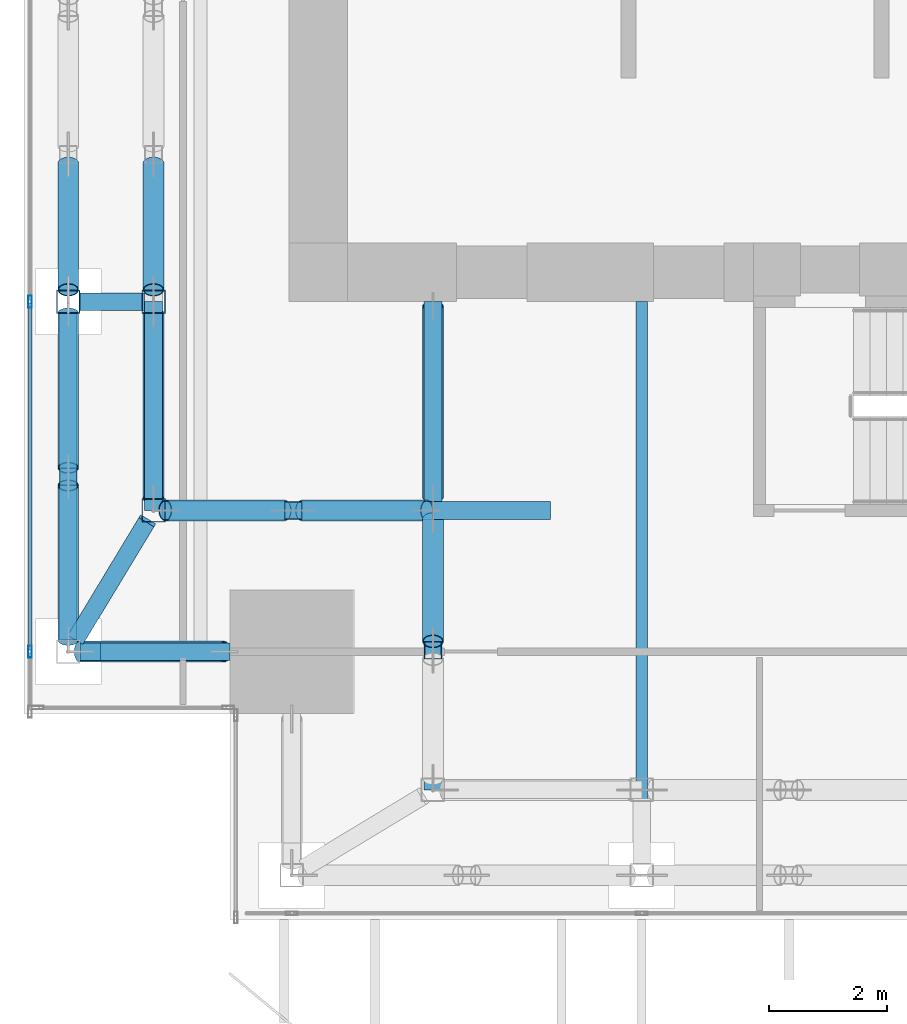
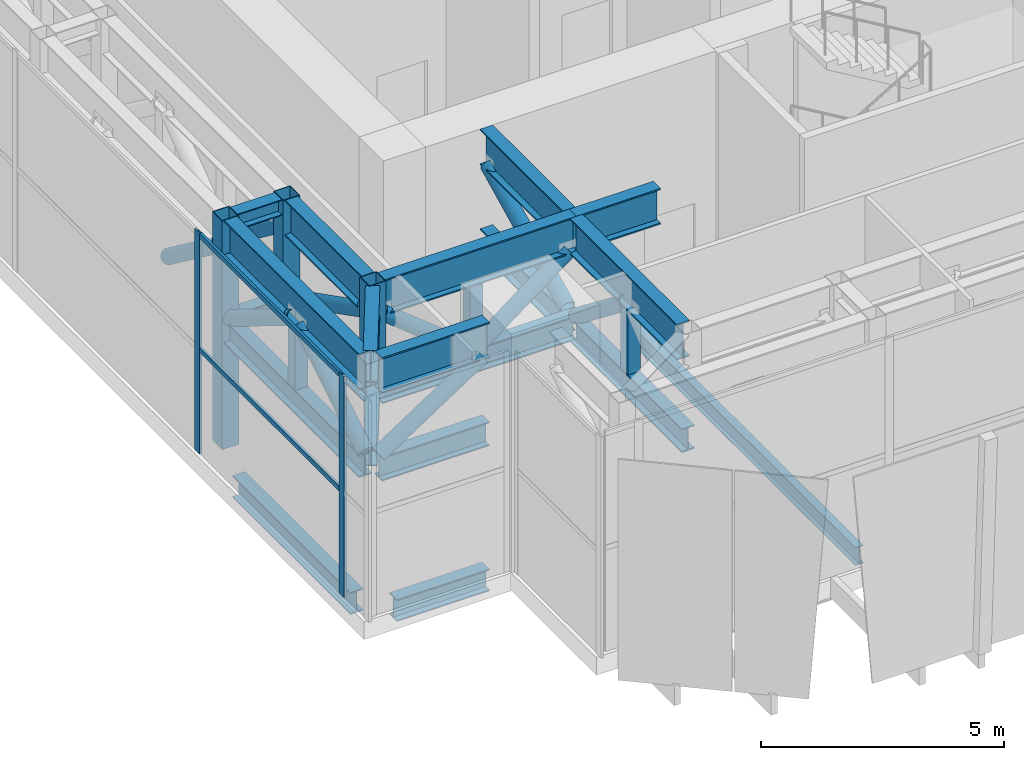
# One storey, part 4 of 47: 33 members, 7 beams, 1 element without a shape of its own.
"""IFC4 building model written with IfcOpenShell, lengths in metres."""

from ifc_helpers import new_model, si_unit, direction, frame, origin, origin_2d, place, context, subcontext, project, spatial, hollow_rectangle, hollow_circle, i_section, extrude, source, transform, mapped, material, material_profile, profile_set, type_object, element, aggregate, save


model = new_model("IFC4")

# Units and contexts
model_context = context("Model", 3, precision=1e-05, world=origin(), true_north=direction((0.0, 1.0)))
body_context = subcontext(model_context, "Body", "Model", "MODEL_VIEW")
ifc_project = project(units=[si_unit("LENGTHUNIT", "METRE"), si_unit("AREAUNIT", "SQUARE_METRE"), si_unit("VOLUMEUNIT", "CUBIC_METRE"), si_unit("PLANEANGLEUNIT", "RADIAN"), si_unit("MASSUNIT", "GRAM", prefix="KILO")], contexts=[model_context])

# Site, building, storey
site_placement = place(None, origin())
site = spatial("IfcSite", under=ifc_project, at=site_placement, CompositionType="ELEMENT")
building_placement = place(site_placement, origin())
building = spatial("IfcBuilding", under=site, at=building_placement, Name="Khomas Fold Tower", CompositionType="ELEMENT")
storey_placement = place(building_placement, frame((0.0, 0.0, 158.699951171875)))
storey = spatial("IfcBuildingStorey", under=building, at=storey_placement, Name="L34", CompositionType="ELEMENT", Elevation=158.699951171875)

# Beams
ifc_material_1 = material(Name="Steel S355", Category="steel")
ifc_material_profile_1 = material_profile(ifc_material_1, i_section(OverallWidth=0.300048828125, OverallDepth=0.550048828125, WebThickness=0.014892578125, FlangeThickness=0.029052734375, at=origin_2d()), Name="HE 550 B")
ifc_profile_set_1 = profile_set([ifc_material_profile_1], Name="Steel S355")
beam_type_1 = type_object("IfcBeamType", Name="HE 550 B spandrel SB2", PredefinedType="SPANDREL", material=ifc_profile_set_1)
shared_shape_1 = source(origin(), body_context, "Body", "SweptSolid", [
    extrude(i_section(OverallWidth=0.300048828125, OverallDepth=0.550048828125, WebThickness=0.014892578125, FlangeThickness=0.029052734375, at=origin_2d()), origin(), (0.0, 0.0, 1.0), 4.849853515625),
])
beam_1_placement = place(storey_placement, frame((2.25, 6.60009765625, -0.724853515625), z_axis=(0.0, 1.0, 0.0), x_axis=(-1.0, 0.0, 0.0)))
element("IfcBeam", 1, at=beam_1_placement, inside=storey, type_object=beam_type_1, Name="SB2", PredefinedType="SPANDREL", context=body_context, shape_type="MappedRepresentation", body=[
    mapped(shared_shape_1, transform((0.0, 0.0, 0.0))),
])
shared_shape_2 = source(origin(), body_context, "Body", "SweptSolid", [
    extrude(i_section(OverallWidth=0.300048828125, OverallDepth=0.550048828125, WebThickness=0.014892578125, FlangeThickness=0.029052734375, at=origin_2d()), origin(), (0.0, 0.0, 1.0), 2.199951171875),
])
beam_2_placement = place(storey_placement, frame((2.800048828125, 6.050048828125, -0.724853515625), z_axis=(1.0, 0.0, 0.0), x_axis=(0.0, 1.0, 0.0)))
element("IfcBeam", 2, at=beam_2_placement, inside=storey, type_object=beam_type_1, Name="SB2", PredefinedType="SPANDREL", context=body_context, shape_type="MappedRepresentation", body=[
    mapped(shared_shape_2, transform((0.0, 0.0, 0.0))),
])
ifc_material_2 = material(Name="Steel S355", Category="steel")
ifc_material_profile_2 = material_profile(ifc_material_2, i_section(OverallWidth=0.18994140625, OverallDepth=0.449951171875, WebThickness=0.009521484375, FlangeThickness=0.0146484375, at=origin_2d()), Name="IPE 450")
ifc_profile_set_2 = profile_set([ifc_material_profile_2], Name="Steel S355")
beam_type_2 = type_object("IfcBeamType", Name="IPE 450 beam JB4", PredefinedType="BEAM", material=ifc_profile_set_2)
shared_shape_3 = source(origin(), body_context, "Body", "SweptSolid", [
    extrude(i_section(OverallWidth=0.18994140625, OverallDepth=0.449951171875, WebThickness=0.009521484375, FlangeThickness=0.0146484375, at=origin_2d()), origin(), (0.0, 0.0, 1.0), 9.199951171875),
])
beam_3_placement = place(storey_placement, frame((12.0, 2.800048828125, -0.675048828125), z_axis=(0.0, 1.0, 0.0), x_axis=(-1.0, 0.0, 0.0)))
element("IfcBeam", 3, at=beam_3_placement, inside=storey, type_object=beam_type_2, Name="JB4", PredefinedType="BEAM", context=body_context, shape_type="MappedRepresentation", body=[
    mapped(shared_shape_3, transform((0.0, 0.0, 0.0))),
])

# Members
ifc_material_3 = material(Name="Steel S460M", Category="steel")
ifc_material_profile_3 = material_profile(ifc_material_3, i_section(OverallWidth=0.300048828125, OverallDepth=0.89990234375, WebThickness=0.0185546875, FlangeThickness=0.034912109375, at=origin_2d()), Name="HE 900 B")
ifc_profile_set_3 = profile_set([ifc_material_profile_3], Name="Steel S460M")
member_type_1 = type_object("IfcMemberType", Name="BELT TRUSS 2 TOP CHORD HE 900 B", PredefinedType="CHORD", material=ifc_profile_set_3)
shared_shape_4 = source(origin(), body_context, "Body", "SweptSolid", [
    extrude(i_section(OverallWidth=0.300048828125, OverallDepth=0.89990234375, WebThickness=0.0185546875, FlangeThickness=0.034912109375, at=origin_2d()), origin(), (0.0, 0.0, 1.0), 5.550048828125),
])
member_1_placement = place(storey_placement, frame((2.25, 11.800048828125, 5.300048828125), z_axis=(0.0, -1.0, 0.0), x_axis=(1.0, 0.0, 0.0)))
element("IfcMember", 4, at=member_1_placement, inside=storey, type_object=member_type_1, Name="BT2-CT", PredefinedType="CHORD", context=body_context, shape_type="MappedRepresentation", body=[
    mapped(shared_shape_4, transform((0.0, 0.0, 0.0))),
])
ifc_material_4 = material(Name="Steel S355", Category="steel")
ifc_material_profile_4 = material_profile(ifc_material_4, i_section(OverallWidth=0.300048828125, OverallDepth=0.60009765625, WebThickness=0.015380859375, FlangeThickness=0.030029296875, at=origin_2d()), Name="HE 600 B")
ifc_profile_set_4 = profile_set([ifc_material_profile_4], Name="Steel S355")
member_type_2 = type_object("IfcMemberType", Name="BELT TRUSS 2 BOTTOM CHORD SHORT HE 600 B", PredefinedType="CHORD", material=ifc_profile_set_4)
shared_shape_5 = source(origin(), body_context, "Body", "SweptSolid", [
    extrude(i_section(OverallWidth=0.300048828125, OverallDepth=0.60009765625, WebThickness=0.015380859375, FlangeThickness=0.030029296875, at=origin_2d()), origin(), (0.0, 0.0, 1.0), 5.550048828125),
])
member_2_placement = place(storey_placement, frame((2.25, 11.800048828125, 2.949951171875), z_axis=(0.0, -1.0, 0.0), x_axis=(1.0, 0.0, 0.0)))
element("IfcMember", 5, at=member_2_placement, inside=storey, type_object=member_type_2, Name="BT2-CBS", PredefinedType="CHORD", context=body_context, shape_type="MappedRepresentation", body=[
    mapped(shared_shape_5, transform((0.0, 0.0, 0.0))),
])
ifc_material_5 = material(Name="Steel S355", Category="steel")
ifc_material_profile_5 = material_profile(ifc_material_5, hollow_circle(Radius=0.177734375, WallThickness=0.01611328125, at=origin_2d()), Name="CHS 355.6x16")
ifc_profile_set_5 = profile_set([ifc_material_profile_5], Name="Steel S355")
member_type_3 = type_object("IfcMemberType", Name="BELT TRUSS 2 DIAGONAL CHS 355.6x16", PredefinedType="BRACE", material=ifc_profile_set_5)
shared_shape_6 = source(origin(), body_context, "Body", "SweptSolid", [
    extrude(hollow_circle(Radius=0.177734375, WallThickness=0.01611328125, at=origin_2d()), origin(), (0.0, 0.0, 1.0), 3.079345703125),
])
for number, where, z_axis, x_axis, name in (
    (6, (2.25, 11.800048828125, 3.2451171875), (0.0, -0.852457646083, 0.522796290762), (1.0, 0.0, 0.0), "BT2-D"),
    (7, (2.25, 8.875, 4.85498046875), (0.0, -0.852457646083, -0.522796290762), (1.0, 0.0, 0.0), "BT2-D"),
):
    element("IfcMember", number, at=place(storey_placement, frame(where, z_axis=z_axis, x_axis=x_axis)), inside=storey, type_object=member_type_3, Name=name, PredefinedType="BRACE", context=body_context, shape_type="MappedRepresentation", body=[
        mapped(shared_shape_6, transform((0.0, 0.0, 0.0))),
    ])
ifc_material_6 = material(Name="Steel S355", Category="steel")
ifc_material_profile_6 = material_profile(ifc_material_6, hollow_rectangle(XDim=0.300048828125, YDim=0.300048828125, WallThickness=0.012451171875, at=origin_2d()), Name="SHS 300x300x12.5")
ifc_profile_set_6 = profile_set([ifc_material_profile_6], Name="Steel S355")
member_type_4 = type_object("IfcMemberType", Name="BELT TRUSS 2 MID POST SHS 300x300x12.5", PredefinedType="POST", material=ifc_profile_set_6)
shared_shape_7 = source(origin(), body_context, "Body", "SweptSolid", [
    extrude(hollow_rectangle(XDim=0.300048828125, YDim=0.300048828125, WallThickness=0.012451171875, at=origin_2d()), origin(), (0.0, 0.0, 1.0), 1.60009765625),
])
for number, where, z_axis, x_axis, name in (
    (8, (2.25, 9.02490234375, 3.25), (0.0, 0.0, 1.0), (1.0, 0.0, 0.0), "BT2-M"),
    (9, (6.074951171875, 8.449951171875, 3.25), (0.0, 0.0, 1.0), (1.0, 0.0, 0.0), "BT2-M"),
    (10, (8.449951171875, 6.074951171875, 3.25), (0.0, 0.0, 1.0), (1.0, 0.0, 0.0), "BT2-M"),
):
    element("IfcMember", number, at=place(storey_placement, frame(where, z_axis=z_axis, x_axis=x_axis)), inside=storey, type_object=member_type_4, Name=name, PredefinedType="POST", context=body_context, shape_type="MappedRepresentation", body=[
        mapped(shared_shape_7, transform((0.0, 0.0, 0.0))),
    ])
shared_shape_8 = source(origin(), body_context, "Body", "SweptSolid", [
    extrude(hollow_circle(Radius=0.177734375, WallThickness=0.01611328125, at=origin_2d()), origin(), (0.0, 0.0, 1.0), 2.68603515625),
])
for number, where, z_axis, x_axis, name in (
    (11, (2.25, 14.35009765625, 3.2451171875), (0.0, -0.800490552016, 0.599345372998), (1.0, 0.0, 0.0), "BT2-D"),
    (12, (3.699951171875, 14.35009765625, 3.2451171875), (0.0, -0.800490552016, 0.599345372998), (1.0, 0.0, 0.0), "BT2-D"),
):
    element("IfcMember", number, at=place(storey_placement, frame(where, z_axis=z_axis, x_axis=x_axis)), inside=storey, type_object=member_type_3, Name=name, PredefinedType="BRACE", context=body_context, shape_type="MappedRepresentation", body=[
        mapped(shared_shape_8, transform((0.0, 0.0, 0.0))),
    ])
ifc_material_7 = material(Name="Steel S460M", Category="steel")
ifc_material_profile_7 = material_profile(ifc_material_7, i_section(OverallWidth=0.300048828125, OverallDepth=0.89990234375, WebThickness=0.0185546875, FlangeThickness=0.034912109375, at=origin_2d()), Name="HE 900 B")
ifc_profile_set_7 = profile_set([ifc_material_profile_7], Name="Steel S460M")
member_type_5 = type_object("IfcMemberType", Name="BELT TRUSS 2 TOP CHORD SHORTER HE 900 B", PredefinedType="CHORD", material=ifc_profile_set_7)
shared_shape_9 = source(origin(), body_context, "Body", "SweptSolid", [
    extrude(i_section(OverallWidth=0.300048828125, OverallDepth=0.89990234375, WebThickness=0.0185546875, FlangeThickness=0.034912109375, at=origin_2d()), origin(), (0.0, 0.0, 1.0), 2.550048828125),
])
member_3_placement = place(storey_placement, frame((2.449951171875, 6.050048828125, 5.300048828125), z_axis=(1.0, 0.0, 0.0), x_axis=(0.0, 1.0, 0.0)))
element("IfcMember", 13, at=member_3_placement, inside=storey, type_object=member_type_5, Name="BT2-CTSS", PredefinedType="CHORD", context=body_context, shape_type="MappedRepresentation", body=[
    mapped(shared_shape_9, transform((0.0, 0.0, 0.0))),
])
ifc_material_8 = material(Name="Steel S355", Category="steel")
ifc_material_profile_8 = material_profile(ifc_material_8, i_section(OverallWidth=0.300048828125, OverallDepth=0.60009765625, WebThickness=0.015380859375, FlangeThickness=0.030029296875, at=origin_2d()), Name="HE 600 B")
ifc_profile_set_8 = profile_set([ifc_material_profile_8], Name="Steel S355")
member_type_6 = type_object("IfcMemberType", Name="BELT TRUSS 2 BOTTOM CHORD SHORTER HE 600 B", PredefinedType="CHORD", material=ifc_profile_set_8)
shared_shape_10 = source(origin(), body_context, "Body", "SweptSolid", [
    extrude(i_section(OverallWidth=0.300048828125, OverallDepth=0.60009765625, WebThickness=0.015380859375, FlangeThickness=0.030029296875, at=origin_2d()), origin(), (0.0, 0.0, 1.0), 2.550048828125),
])
member_4_placement = place(storey_placement, frame((2.449951171875, 6.050048828125, 2.949951171875), z_axis=(1.0, 0.0, 0.0), x_axis=(0.0, 1.0, 0.0)))
element("IfcMember", 14, at=member_4_placement, inside=storey, type_object=member_type_6, Name="BT2-CBSS", PredefinedType="CHORD", context=body_context, shape_type="MappedRepresentation", body=[
    mapped(shared_shape_10, transform((0.0, 0.0, 0.0))),
])
shared_shape_11 = source(origin(), body_context, "Body", "SweptSolid", [
    extrude(hollow_circle(Radius=0.177734375, WallThickness=0.01611328125, at=origin_2d()), origin(), (0.0, 0.0, 1.0), 2.936279296875),
])
member_5_placement = place(storey_placement, frame((2.449951171875, 6.050048828125, 3.2451171875), z_axis=(0.836298117849, 0.0, 0.548274984002), x_axis=(0.0, 1.0, 0.0)))
element("IfcMember", 15, at=member_5_placement, inside=storey, type_object=member_type_3, Name="BT2-D", PredefinedType="BRACE", context=body_context, shape_type="MappedRepresentation", body=[
    mapped(shared_shape_11, transform((0.0, 0.0, 0.0))),
])
ifc_material_9 = material(Name="Steel S460M", Category="steel")
ifc_material_profile_9 = material_profile(ifc_material_9, i_section(OverallWidth=0.300048828125, OverallDepth=0.89990234375, WebThickness=0.0185546875, FlangeThickness=0.034912109375, at=origin_2d()), Name="HE 900 B")
ifc_profile_set_9 = profile_set([ifc_material_profile_9], Name="Steel S460M")
member_type_7 = type_object("IfcMemberType", Name="BELT TRUSS 2 TOP CHORD SHORT HE 900 B", PredefinedType="CHORD", material=ifc_profile_set_9)
shared_shape_12 = source(origin(), body_context, "Body", "SweptSolid", [
    extrude(i_section(OverallWidth=0.300048828125, OverallDepth=0.89990234375, WebThickness=0.0185546875, FlangeThickness=0.034912109375, at=origin_2d()), origin(), (0.0, 0.0, 1.0), 3.150146484375),
])
member_6_placement = place(storey_placement, frame((3.699951171875, 11.800048828125, 5.300048828125), z_axis=(0.0, -1.0, 0.0), x_axis=(1.0, 0.0, 0.0)))
element("IfcMember", 16, at=member_6_placement, inside=storey, type_object=member_type_7, Name="BT2-CTS", PredefinedType="CHORD", context=body_context, shape_type="MappedRepresentation", body=[
    mapped(shared_shape_12, transform((0.0, 0.0, 0.0))),
])
shared_shape_13 = source(origin(), body_context, "Body", "SweptSolid", [
    extrude(i_section(OverallWidth=0.300048828125, OverallDepth=0.60009765625, WebThickness=0.015380859375, FlangeThickness=0.030029296875, at=origin_2d()), origin(), (0.0, 0.0, 1.0), 3.39990234375),
])
member_7_placement = place(storey_placement, frame((8.449951171875, 8.60009765625, 2.949951171875), z_axis=(0.0, 1.0, 0.0), x_axis=(-1.0, 0.0, 0.0)))
element("IfcMember", 17, at=member_7_placement, inside=storey, type_object=member_type_6, Name="BT2-CBSS", PredefinedType="CHORD", context=body_context, shape_type="MappedRepresentation", body=[
    mapped(shared_shape_13, transform((0.0, 0.0, 0.0))),
])
shared_shape_14 = source(origin(), body_context, "Body", "SweptSolid", [
    extrude(hollow_circle(Radius=0.177734375, WallThickness=0.01611328125, at=origin_2d()), origin(), (0.0, 0.0, 1.0), 3.53759765625),
])
member_8_placement = place(storey_placement, frame((3.699951171875, 11.800048828125, 3.2451171875), z_axis=(0.0, -0.890458918819, 0.455063637193), x_axis=(1.0, 0.0, 0.0)))
element("IfcMember", 18, at=member_8_placement, inside=storey, type_object=member_type_3, Name="BT2-D", PredefinedType="BRACE", context=body_context, shape_type="MappedRepresentation", body=[
    mapped(shared_shape_14, transform((0.0, 0.0, 0.0))),
])
shared_shape_15 = source(origin(), body_context, "Body", "SweptSolid", [
    extrude(i_section(OverallWidth=0.300048828125, OverallDepth=0.60009765625, WebThickness=0.015380859375, FlangeThickness=0.030029296875, at=origin_2d()), origin(), (0.0, 0.0, 1.0), 3.550048828125),
])
member_9_placement = place(storey_placement, frame((3.699951171875, 12.0, 2.949951171875), z_axis=(0.0, -1.0, 0.0), x_axis=(1.0, 0.0, 0.0)))
element("IfcMember", 19, at=member_9_placement, inside=storey, type_object=member_type_6, Name="BT2-CBSS", PredefinedType="CHORD", context=body_context, shape_type="MappedRepresentation", body=[
    mapped(shared_shape_15, transform((0.0, 0.0, 0.0))),
])
shared_shape_16 = source(origin(), body_context, "Body", "SweptSolid", [
    extrude(i_section(OverallWidth=0.300048828125, OverallDepth=0.89990234375, WebThickness=0.0185546875, FlangeThickness=0.034912109375, at=origin_2d()), origin(), (0.0, 0.0, 1.0), 4.550048828125),
])
member_10_placement = place(storey_placement, frame((3.89990234375, 8.449951171875, 5.300048828125), z_axis=(1.0, 0.0, 0.0), x_axis=(0.0, 1.0, 0.0)))
element("IfcMember", 20, at=member_10_placement, inside=storey, type_object=member_type_7, Name="BT2-CTS", PredefinedType="CHORD", context=body_context, shape_type="MappedRepresentation", body=[
    mapped(shared_shape_16, transform((0.0, 0.0, 0.0))),
])
shared_shape_17 = source(origin(), body_context, "Body", "SweptSolid", [
    extrude(hollow_circle(Radius=0.177734375, WallThickness=0.01611328125, at=origin_2d()), origin(), (0.0, 0.0, 1.0), 2.587158203125),
])
member_11_placement = place(storey_placement, frame((3.89990234375, 8.449951171875, 4.85498046875), z_axis=(0.782798501994, 0.0, -0.622275264876), x_axis=(0.0, 1.0, 0.0)))
element("IfcMember", 21, at=member_11_placement, inside=storey, type_object=member_type_3, Name="BT2-D", PredefinedType="BRACE", context=body_context, shape_type="MappedRepresentation", body=[
    mapped(shared_shape_17, transform((0.0, 0.0, 0.0))),
])
shared_shape_18 = source(origin(), body_context, "Body", "SweptSolid", [
    extrude(hollow_circle(Radius=0.177734375, WallThickness=0.01611328125, at=origin_2d()), origin(), (0.0, 0.0, 1.0), 2.662841796875),
])
member_12_placement = place(storey_placement, frame((6.22509765625, 8.449951171875, 3.2451171875), z_axis=(0.79655424277, 0.0, 0.604567066854), x_axis=(0.0, 1.0, 0.0)))
element("IfcMember", 22, at=member_12_placement, inside=storey, type_object=member_type_3, Name="BT2-D", PredefinedType="BRACE", context=body_context, shape_type="MappedRepresentation", body=[
    mapped(shared_shape_18, transform((0.0, 0.0, 0.0))),
])
shared_shape_19 = source(origin(), body_context, "Body", "SweptSolid", [
    extrude(i_section(OverallWidth=0.300048828125, OverallDepth=0.89990234375, WebThickness=0.0185546875, FlangeThickness=0.034912109375, at=origin_2d()), origin(), (0.0, 0.0, 1.0), 4.400146484375),
])
member_13_placement = place(storey_placement, frame((8.449951171875, 3.89990234375, 5.300048828125), z_axis=(0.0, 1.0, 0.0), x_axis=(-1.0, 0.0, 0.0)))
element("IfcMember", 23, at=member_13_placement, inside=storey, type_object=member_type_7, Name="BT2-CTS", PredefinedType="CHORD", context=body_context, shape_type="MappedRepresentation", body=[
    mapped(shared_shape_19, transform((0.0, 0.0, 0.0))),
])
shared_shape_20 = source(origin(), body_context, "Body", "SweptSolid", [
    extrude(hollow_circle(Radius=0.177734375, WallThickness=0.01611328125, at=origin_2d()), origin(), (0.0, 0.0, 1.0), 2.626220703125),
])
member_14_placement = place(storey_placement, frame((8.449951171875, 6.22509765625, 4.85498046875), z_axis=(0.0, 0.790087483617, -0.612994101303), x_axis=(-1.0, 0.0, 0.0)))
element("IfcMember", 24, at=member_14_placement, inside=storey, type_object=member_type_3, Name="BT2-D", PredefinedType="BRACE", context=body_context, shape_type="MappedRepresentation", body=[
    mapped(shared_shape_20, transform((0.0, 0.0, 0.0))),
])
shared_shape_21 = source(origin(), body_context, "Body", "SweptSolid", [
    extrude(i_section(OverallWidth=0.300048828125, OverallDepth=0.89990234375, WebThickness=0.0185546875, FlangeThickness=0.034912109375, at=origin_2d()), origin(), (0.0, 0.0, 1.0), 2.0),
])
member_15_placement = place(storey_placement, frame((8.449951171875, 8.449951171875, 5.300048828125), z_axis=(1.0, 0.0, 0.0), x_axis=(0.0, 1.0, 0.0)))
element("IfcMember", 25, at=member_15_placement, inside=storey, type_object=member_type_5, Name="BT2-CTSS", PredefinedType="CHORD", context=body_context, shape_type="MappedRepresentation", body=[
    mapped(shared_shape_21, transform((0.0, 0.0, 0.0))),
])
shared_shape_22 = source(origin(), body_context, "Body", "SweptSolid", [
    extrude(i_section(OverallWidth=0.300048828125, OverallDepth=0.60009765625, WebThickness=0.015380859375, FlangeThickness=0.030029296875, at=origin_2d()), origin(), (0.0, 0.0, 1.0), 4.599853515625),
])
member_16_placement = place(storey_placement, frame((3.85009765625, 8.449951171875, 2.949951171875), z_axis=(1.0, 0.0, 0.0), x_axis=(0.0, 1.0, 0.0)))
element("IfcMember", 26, at=member_16_placement, inside=storey, type_object=member_type_2, Name="BT2-CBS", PredefinedType="CHORD", context=body_context, shape_type="MappedRepresentation", body=[
    mapped(shared_shape_22, transform((0.0, 0.0, 0.0))),
])
shared_shape_23 = source(origin(), body_context, "Body", "SweptSolid", [
    extrude(i_section(OverallWidth=0.300048828125, OverallDepth=0.60009765625, WebThickness=0.015380859375, FlangeThickness=0.030029296875, at=origin_2d()), origin(), (0.0, 0.0, 1.0), 4.60009765625),
])
member_17_placement = place(storey_placement, frame((8.449951171875, 3.699951171875, 2.949951171875), z_axis=(0.0, 1.0, 0.0), x_axis=(-1.0, 0.0, 0.0)))
element("IfcMember", 27, at=member_17_placement, inside=storey, type_object=member_type_2, Name="BT2-CBS", PredefinedType="CHORD", context=body_context, shape_type="MappedRepresentation", body=[
    mapped(shared_shape_23, transform((0.0, 0.0, 0.0))),
])
shared_shape_24 = source(origin(), body_context, "Body", "SweptSolid", [
    extrude(i_section(OverallWidth=0.300048828125, OverallDepth=0.89990234375, WebThickness=0.0185546875, FlangeThickness=0.034912109375, at=origin_2d()), origin(), (0.0, 0.0, 1.0), 3.39990234375),
])
member_18_placement = place(storey_placement, frame((8.449951171875, 8.60009765625, 5.300048828125), z_axis=(0.0, 1.0, 0.0), x_axis=(-1.0, 0.0, 0.0)))
element("IfcMember", 28, at=member_18_placement, inside=storey, type_object=member_type_7, Name="BT2-CTS", PredefinedType="CHORD", context=body_context, shape_type="MappedRepresentation", body=[
    mapped(shared_shape_24, transform((0.0, 0.0, 0.0))),
])
shared_shape_25 = source(origin(), body_context, "Body", "SweptSolid", [
    extrude(hollow_circle(Radius=0.177734375, WallThickness=0.01611328125, at=origin_2d()), origin(), (0.0, 0.0, 1.0), 3.62548828125),
])
member_19_placement = place(storey_placement, frame((8.449951171875, 8.67578125, 3.2451171875), z_axis=(0.0, 0.896010740552, 0.444032378115), x_axis=(-1.0, 0.0, 0.0)))
element("IfcMember", 29, at=member_19_placement, inside=storey, type_object=member_type_3, Name="BT2-D", PredefinedType="BRACE", context=body_context, shape_type="MappedRepresentation", body=[
    mapped(shared_shape_25, transform((0.0, 0.0, 0.0))),
])
ifc_material_10 = material(Name="Steel S460M", Category="steel")
ifc_material_profile_10 = material_profile(ifc_material_10, hollow_rectangle(XDim=0.39990234375, YDim=0.39990234375, WallThickness=0.01611328125, at=origin_2d()), Name="SHS 400x400x16")
ifc_profile_set_10 = profile_set([ifc_material_profile_10], Name="Steel S460M")
member_type_8 = type_object("IfcMemberType", Name="BELT TRUSS 2 COLUMN POST SHS 400x400x16", PredefinedType="POST", material=ifc_profile_set_10)
shared_shape_26 = source(origin(), body_context, "Body", "SweptSolid", [
    extrude(hollow_rectangle(XDim=0.39990234375, YDim=0.39990234375, WallThickness=0.01611328125, at=origin_2d()), origin(), (0.0, 0.0, 1.0), 5.75),
])
member_20_placement = place(storey_placement, frame((2.25, 12.0, 0.0), z_axis=(0.0, 0.0, 1.0), x_axis=(1.0, 0.0, 0.0)))
element("IfcMember", 30, at=member_20_placement, inside=storey, type_object=member_type_8, Name="BT2-P", PredefinedType="POST", context=body_context, shape_type="MappedRepresentation", body=[
    mapped(shared_shape_26, transform((0.0, 0.0, 0.0))),
])
ifc_material_11 = material(Name="Steel S460M", Category="steel")
ifc_material_profile_11 = material_profile(ifc_material_11, hollow_rectangle(XDim=0.39990234375, YDim=0.39990234375, WallThickness=0.01611328125, at=origin_2d()), Name="SHS 400x400x16")
ifc_profile_set_11 = profile_set([ifc_material_profile_11], Name="Steel S460M")
member_type_9 = type_object("IfcMemberType", Name="BELT TRUSS 2 COLUMN POST SHORT SHS 400x400x16", PredefinedType="POST", material=ifc_profile_set_11)
shared_shape_27 = source(origin(), body_context, "Body", "SweptSolid", [
    extrude(hollow_rectangle(XDim=0.39990234375, YDim=0.39990234375, WallThickness=0.01611328125, at=origin_2d()), origin(), (0.0, 0.0, 1.0), 2.5),
])
for number, where, z_axis, x_axis, name in (
    (31, (3.699951171875, 12.0, 3.25), (0.0, 0.0, 1.0), (1.0, 0.0, 0.0), "BT2-PS"),
    (32, (3.699951171875, 8.449951171875, 3.25), (0.0, 0.0, 1.0), (1.0, 0.0, 0.0), "BT2-PS"),
):
    element("IfcMember", number, at=place(storey_placement, frame(where, z_axis=z_axis, x_axis=x_axis)), inside=storey, type_object=member_type_9, Name=name, PredefinedType="POST", context=body_context, shape_type="MappedRepresentation", body=[
        mapped(shared_shape_27, transform((0.0, 0.0, 0.0))),
    ])

# Beams
ifc_material_12 = material(Name="Steel S460M", Category="steel")
ifc_material_profile_12 = material_profile(ifc_material_12, i_section(OverallWidth=0.300048828125, OverallDepth=0.800048828125, WebThickness=0.017578125, FlangeThickness=0.032958984375, at=origin_2d()), Name="HE 800 B")
ifc_profile_set_12 = profile_set([ifc_material_profile_12], Name="Steel S460M")
beam_type_3 = type_object("IfcBeamType", Name="BELT TRUSS 2 TOP TRANSFER STRUT HE 800 B", PredefinedType="BEAM", material=ifc_profile_set_12)
shared_shape_28 = source(origin(), body_context, "Body", "SweptSolid", [
    extrude(i_section(OverallWidth=0.300048828125, OverallDepth=0.800048828125, WebThickness=0.017578125, FlangeThickness=0.032958984375, at=origin_2d()), origin(), (0.0, 0.0, 1.0), 2.336669921875),
])
beam_4_placement = place(storey_placement, frame((3.5791015625, 8.25, 5.35009765625), z_axis=(-0.517090125061, -0.855930956657, 0.0), x_axis=(0.855930956657, -0.517090125061, 0.0)))
element("IfcBeam", 33, at=beam_4_placement, inside=storey, type_object=beam_type_3, Name="BT2-STD", PredefinedType="BEAM", context=body_context, shape_type="MappedRepresentation", body=[
    mapped(shared_shape_28, transform((0.0, 0.0, 0.0))),
])
ifc_material_13 = material(Name="Steel S355", Category="steel")
ifc_material_profile_13 = material_profile(ifc_material_13, i_section(OverallWidth=0.300048828125, OverallDepth=0.39990234375, WebThickness=0.013427734375, FlangeThickness=0.02392578125, at=origin_2d()), Name="HE 400 B")
ifc_profile_set_13 = profile_set([ifc_material_profile_13], Name="Steel S355")
beam_type_4 = type_object("IfcBeamType", Name="BELT TRUSS 2 BOTTOM STRUT LONG HE 400 B", PredefinedType="BEAM", material=ifc_profile_set_13)
shared_shape_29 = source(origin(), body_context, "Body", "SweptSolid", [
    extrude(i_section(OverallWidth=0.300048828125, OverallDepth=0.39990234375, WebThickness=0.013427734375, FlangeThickness=0.02392578125, at=origin_2d()), origin(), (0.0, 0.0, 1.0), 2.39501953125),
])
beam_5_placement = place(storey_placement, frame((3.609375, 8.300048828125, 3.050048828125), z_axis=(-0.51710163837, -0.855924001063, 0.0), x_axis=(0.855924001063, -0.51710163837, 0.0)))
element("IfcBeam", 34, at=beam_5_placement, inside=storey, type_object=beam_type_4, Name="BT2-SBL", PredefinedType="BEAM", context=body_context, shape_type="MappedRepresentation", body=[
    mapped(shared_shape_29, transform((0.0, 0.0, 0.0))),
])
ifc_material_14 = material(Name="Steel S355", Category="steel")
ifc_material_profile_14 = material_profile(ifc_material_14, i_section(OverallWidth=0.300048828125, OverallDepth=0.39990234375, WebThickness=0.013427734375, FlangeThickness=0.02392578125, at=origin_2d()), Name="HE 400 B")
ifc_profile_set_14 = profile_set([ifc_material_profile_14], Name="Steel S355")
beam_type_5 = type_object("IfcBeamType", Name="BELT TRUSS 2 TOP STRUT HE 400 B", PredefinedType="BEAM", material=ifc_profile_set_14)
shared_shape_30 = source(origin(), body_context, "Body", "SweptSolid", [
    extrude(i_section(OverallWidth=0.300048828125, OverallDepth=0.39990234375, WebThickness=0.013427734375, FlangeThickness=0.02392578125, at=origin_2d()), origin(), (0.0, 0.0, 1.0), 1.050048828125),
])
beam_6_placement = place(storey_placement, frame((3.5, 12.0, 5.550048828125), z_axis=(-1.0, 0.0, 0.0), x_axis=(0.0, -1.0, 0.0)))
element("IfcBeam", 35, at=beam_6_placement, inside=storey, type_object=beam_type_5, Name="BT2-ST", PredefinedType="BEAM", context=body_context, shape_type="MappedRepresentation", body=[
    mapped(shared_shape_30, transform((0.0, 0.0, 0.0))),
])
ifc_material_15 = material(Name="Steel S355", Category="steel")
ifc_material_profile_15 = material_profile(ifc_material_15, i_section(OverallWidth=0.300048828125, OverallDepth=0.39990234375, WebThickness=0.013427734375, FlangeThickness=0.02392578125, at=origin_2d()), Name="HE 400 B")
ifc_profile_set_15 = profile_set([ifc_material_profile_15], Name="Steel S355")
beam_type_6 = type_object("IfcBeamType", Name="BELT TRUSS 2 BOTTOM STRUT HE 400 B", PredefinedType="BEAM", material=ifc_profile_set_15)
shared_shape_31 = source(origin(), body_context, "Body", "SweptSolid", [
    extrude(i_section(OverallWidth=0.300048828125, OverallDepth=0.39990234375, WebThickness=0.013427734375, FlangeThickness=0.02392578125, at=origin_2d()), origin(), (0.0, 0.0, 1.0), 1.10009765625),
])
beam_7_placement = place(storey_placement, frame((3.550048828125, 12.0, 3.050048828125), z_axis=(-1.0, 0.0, 0.0), x_axis=(0.0, -1.0, 0.0)))
element("IfcBeam", 36, at=beam_7_placement, inside=storey, type_object=beam_type_6, Name="BT2-SB", PredefinedType="BEAM", context=body_context, shape_type="MappedRepresentation", body=[
    mapped(shared_shape_31, transform((0.0, 0.0, 0.0))),
])

# Curtain wall, members
ifc_material_16 = material(Name="Aluminium framed double glazing", Category="aluminium")
curtain_wall_type = type_object("IfcCurtainWallType", Name="SK-Unitised clear-glass wall, growing floors CW1", PredefinedType="NOTDEFINED", material=ifc_material_16)
curtain_wall_placement = place(storey_placement, origin())
curtain_wall = element("IfcCurtainWall", 37, at=curtain_wall_placement, inside=storey, type_object=curtain_wall_type, Name="CW1 run L34 18-0", PredefinedType="NOTDEFINED")
ifc_material_17 = material(Name="Aluminium", Category="aluminium")
ifc_material_profile_16 = material_profile(ifc_material_17, hollow_rectangle(XDim=0.06005859375, YDim=0.1201171875, WallThickness=0.00390625, at=origin_2d()), Name="SK-Unitised clear-glass wall, growing floors transom CW1-T")
ifc_profile_set_16 = profile_set([ifc_material_profile_16], Name="Aluminium")
member_type_10 = type_object("IfcMemberType", Name="SK-Unitised clear-glass wall, growing floors transom CW1-T", PredefinedType="USERDEFINED", material=ifc_profile_set_16)
shared_shape_32 = source(origin(), body_context, "Body", "SweptSolid", [
    extrude(hollow_rectangle(XDim=0.06005859375, YDim=0.1201171875, WallThickness=0.00390625, at=origin_2d()), origin(), (0.0, 0.0, 1.0), 5.889892578125),
])
member_21_placement = place(storey_placement, frame((1.60009765625, 11.969970703125, 5.489990234375), z_axis=(0.0, -1.0, 0.0), x_axis=(1.0, 0.0, 0.0)))
member_21 = element("IfcMember", 38, at=member_21_placement, type_object=member_type_10, Name="CW1 transom 7", ObjectType="TRANSOM", PredefinedType="USERDEFINED", context=body_context, shape_type="MappedRepresentation", body=[
    mapped(shared_shape_32, transform((0.0, 0.0, 0.0))),
])
member_22_placement = place(storey_placement, frame((1.60009765625, 11.969970703125, 2.6171875), z_axis=(0.0, -1.0, 0.0), x_axis=(1.0, 0.0, 0.0)))
member_22 = element("IfcMember", 39, at=member_22_placement, type_object=member_type_10, Name="CW1 transom 7 (truss floor)", ObjectType="TRANSOM", PredefinedType="USERDEFINED", context=body_context, shape_type="MappedRepresentation", body=[
    mapped(shared_shape_32, transform((0.0, 0.0, 0.0))),
])
ifc_material_18 = material(Name="Aluminium", Category="aluminium")
ifc_material_profile_17 = material_profile(ifc_material_18, hollow_rectangle(XDim=0.06005859375, YDim=0.199951171875, WallThickness=0.00390625, at=origin_2d()), Name="SK-Unitised clear-glass wall, growing floors mullion CW1-M")
ifc_profile_set_17 = profile_set([ifc_material_profile_17], Name="Aluminium")
member_type_11 = type_object("IfcMemberType", Name="SK-Unitised clear-glass wall, growing floors mullion CW1-M", PredefinedType="MULLION", material=ifc_profile_set_17)
shared_shape_33 = source(origin(), body_context, "Body", "SweptSolid", [
    extrude(hollow_rectangle(XDim=0.06005859375, YDim=0.199951171875, WallThickness=0.00390625, at=origin_2d()), origin(), (0.0, 0.0, 1.0), 5.550048828125),
])
member_23_placement = place(storey_placement, frame((1.60009765625, 12.0, 0.0), z_axis=(0.0, 0.0, 1.0), x_axis=(1.0, 0.0, 0.0)))
member_23 = element("IfcMember", 40, at=member_23_placement, type_object=member_type_11, Name="CW1 mullion 7", PredefinedType="MULLION", context=body_context, shape_type="MappedRepresentation", body=[
    mapped(shared_shape_33, transform((0.0, 0.0, 0.0))),
])
member_24_placement = place(storey_placement, frame((1.60009765625, 6.050048828125, 0.0), z_axis=(0.0, 0.0, 1.0), x_axis=(1.0, 0.0, 0.0)))
member_24 = element("IfcMember", 41, at=member_24_placement, type_object=member_type_11, Name="CW1 mullion 8", PredefinedType="MULLION", context=body_context, shape_type="MappedRepresentation", body=[
    mapped(shared_shape_33, transform((0.0, 0.0, 0.0))),
])
aggregate(curtain_wall, [member_23, member_24, member_21, member_22])

save(model, "model.ifc")
